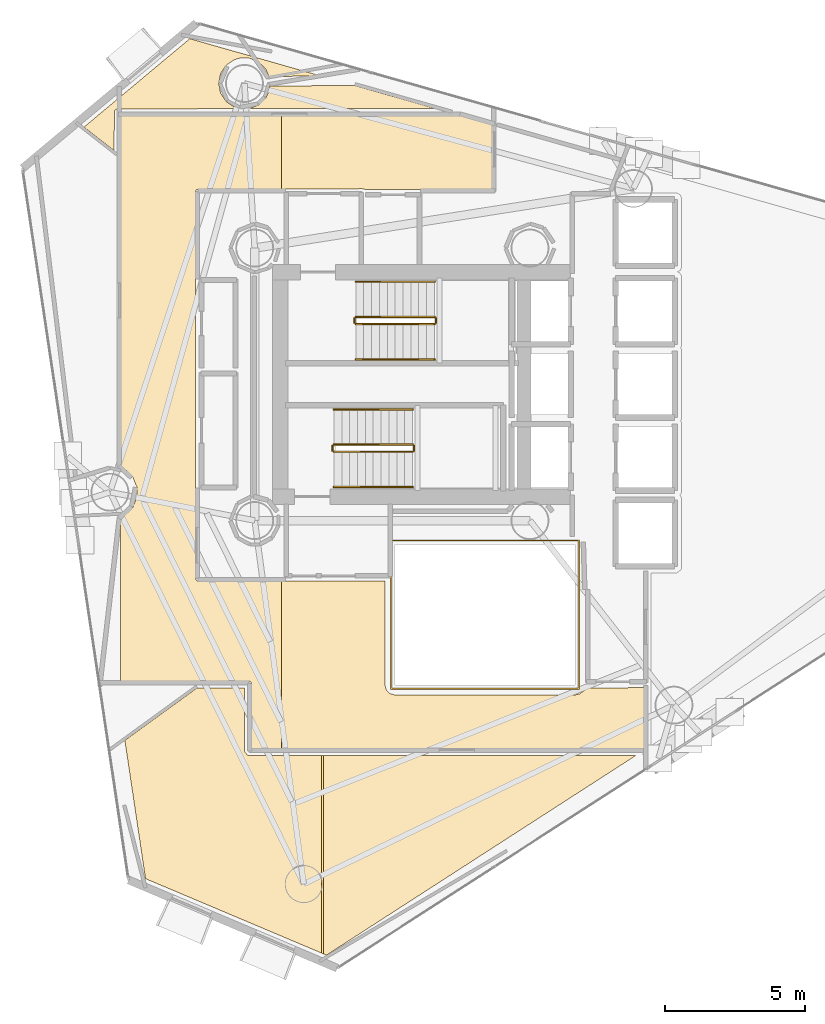
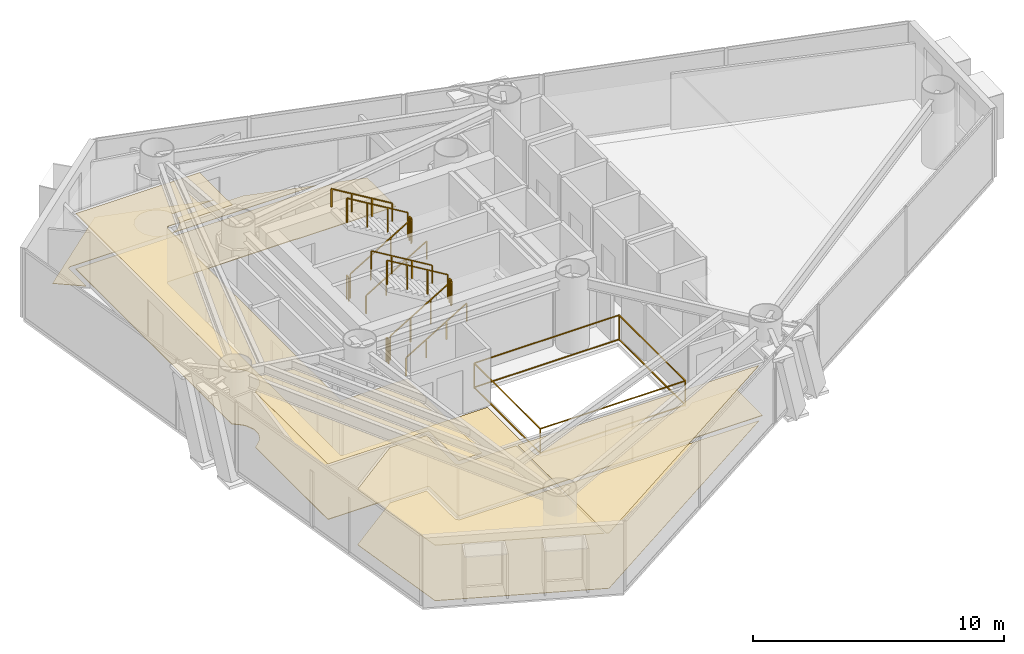
# One storey, part 21 of 22: 13 railings, 6 coverings.
"""IFC4 building model written with IfcOpenShell, lengths in metres."""

import ifcopenshell
import ifcopenshell.guid

model = None  # the IFC model being written
_history = None  # IfcOwnerHistory: only IFC2X3 demands one
_inside = {}  # id of a spatial element -> (the spatial element, [elements in it])
_under = {}  # id of a project, library or spatial element -> (it, [spatial elements below it])
_declared = {}  # id of a project -> (the project, [libraries it declares])
_typed = {}  # id of a type object -> (the type object, [elements of that type])
_made_of = {}  # id of a material, layer set ... -> (it, [elements and type objects made of it])


def new_model(schema):
    """Start an empty IFC model of exactly this schema.

    Asked for "IFC4X3", IfcOpenShell would pick the latest addendum, in which some entities
    have other attributes; the version numbers below select the first issue.
    IFC2X3 requires an IfcOwnerHistory on every rooted entity: one is made here for all.
    """
    global model, _history
    if schema == "IFC4X3":
        model = ifcopenshell.file(schema_version=(4, 3, 0, 0))
    else:
        model = ifcopenshell.file(schema=schema)
    _inside.clear()
    _under.clear()
    _declared.clear()
    _typed.clear()
    _made_of.clear()
    _history = None
    if model.schema == "IFC2X3":
        org = make("IfcOrganization", Name="unknown")
        user = make(
            "IfcPersonAndOrganization",
            ThePerson=make("IfcPerson", FamilyName="unknown"),
            TheOrganization=org,
        )
        app = make(
            "IfcApplication",
            ApplicationDeveloper=org,
            Version="unknown",
            ApplicationFullName="unknown",
            ApplicationIdentifier="unknown",
        )
        _history = make(
            "IfcOwnerHistory",
            OwningUser=user,
            OwningApplication=app,
            ChangeAction="ADDED",
            CreationDate=0,
        )
    return model


def make(cls, **values):
    """One entity of the class cls with the attributes given. An attribute that is None is left unset."""
    return model.create_entity(
        cls, **{name: value for name, value in values.items() if value is not None}
    )


def rooted(cls, **values):
    """An entity with a GlobalId (a new one), such as an element, a storey or a relation."""
    return make(cls, GlobalId=ifcopenshell.guid.new(), OwnerHistory=_history, **values)


def si_unit(unit_type, name, prefix=None):
    """IfcSIUnit, for example si_unit("LENGTHUNIT", "METRE", prefix="MILLI")."""
    return make("IfcSIUnit", UnitType=unit_type, Prefix=prefix, Name=name)


def assignment(units):
    """IfcUnitAssignment: the units of a project."""
    return None if units is None else make("IfcUnitAssignment", Units=units)


def point(xyz):
    """IfcCartesianPoint."""
    return None if xyz is None else make("IfcCartesianPoint", Coordinates=xyz)


def direction(xyz):
    """IfcDirection."""
    return None if xyz is None else make("IfcDirection", DirectionRatios=xyz)


def frame(location, z_axis=None, x_axis=None):
    """IfcAxis2Placement3D, a coordinate frame: its origin and axes. An axis left out is left unset."""
    return make(
        "IfcAxis2Placement3D",
        Location=point(location),
        Axis=direction(z_axis),
        RefDirection=direction(x_axis),
    )


def frame_2d(location, x_axis=None):
    """IfcAxis2Placement2D, a coordinate frame in the plane: its origin and x axis."""
    return make(
        "IfcAxis2Placement2D", Location=point(location), RefDirection=direction(x_axis)
    )


def origin():
    """The frame at (0, 0, 0) with its axes left unset."""
    return frame((0.0, 0.0, 0.0))


def origin_2d():
    """The frame at (0, 0) in the plane with its x axis left unset."""
    return frame_2d((0.0, 0.0))


def place(relative_to, where):
    """IfcLocalPlacement: puts the frame where relative to a parent placement (None: the world)."""
    return make(
        "IfcLocalPlacement", PlacementRelTo=relative_to, RelativePlacement=where
    )


def context(
    kind, dimensions, precision=None, world=None, true_north=None, identifier=None
):
    """IfcGeometricRepresentationContext, for example the 3D "Model" context."""
    return make(
        "IfcGeometricRepresentationContext",
        ContextIdentifier=identifier,
        ContextType=kind,
        CoordinateSpaceDimension=dimensions,
        Precision=precision,
        WorldCoordinateSystem=world,
        TrueNorth=true_north,
    )


def subcontext(parent, identifier, kind, view, scale=None):
    """IfcGeometricRepresentationSubContext, for example "Body" below "Model"."""
    return make(
        "IfcGeometricRepresentationSubContext",
        ContextIdentifier=identifier,
        ContextType=kind,
        ParentContext=parent,
        TargetScale=scale,
        TargetView=view,
    )


def project(units=None, contexts=None):
    """IfcProject with its units and contexts."""
    return rooted(
        "IfcProject",
        Name="project",
        RepresentationContexts=contexts,
        UnitsInContext=assignment(units),
    )


def spatial(cls, under=None, at=None, **own):
    """A site, building, storey or space (cls), placed at a placement, below another one or the project."""
    s = rooted(cls, ObjectPlacement=at, **own)
    if under is not None:
        _under.setdefault(under.id(), (under, []))[1].append(s)
    return s


def polyline(points):
    """IfcPolyline through the points."""
    return make("IfcPolyline", Points=[point(p) for p in points])


def profile(cls, at=None, kind="AREA", **sizes):
    """A parametric profile (cls). Its sizes go by their IFC names, for example OverallWidth=200.0."""
    return make(cls, ProfileType=kind, Position=at, **sizes)


def rectangle(**sizes):
    """IfcRectangleProfileDef."""
    return profile("IfcRectangleProfileDef", **sizes)


def outline(outer, holes=None, kind="AREA"):
    """IfcArbitraryClosedProfileDef: a profile drawn as a closed curve; with holes, ...WithVoids."""
    if holes is None:
        return make("IfcArbitraryClosedProfileDef", ProfileType=kind, OuterCurve=outer)
    return make(
        "IfcArbitraryProfileDefWithVoids",
        ProfileType=kind,
        OuterCurve=outer,
        InnerCurves=holes,
    )


def extrude(swept, where, along, depth):
    """IfcExtrudedAreaSolid: the profile swept, set in the frame where, extruded along a direction by depth."""
    return make(
        "IfcExtrudedAreaSolid",
        SweptArea=swept,
        Position=where,
        ExtrudedDirection=direction(along),
        Depth=depth,
    )


def shape(context_of_items, identifier, shape_type, items):
    """IfcShapeRepresentation: the items that make up one representation, for example the "Body"."""
    return make(
        "IfcShapeRepresentation",
        ContextOfItems=context_of_items,
        RepresentationIdentifier=identifier,
        RepresentationType=shape_type,
        Items=items,
    )


def material(Name=None, Category=None):
    """IfcMaterial."""
    return make("IfcMaterial", Name=Name, Category=Category)


def layer(
    of_material, thickness, ventilated=None, Name=None, Category=None, Priority=None
):
    """IfcMaterialLayer: one layer of a wall or slab, of a material (None: an air gap)."""
    return make(
        "IfcMaterialLayer",
        Material=of_material,
        LayerThickness=thickness,
        IsVentilated=ventilated,
        Name=Name,
        Category=Category,
        Priority=Priority,
    )


def layer_set(layers, Name=None):
    """IfcMaterialLayerSet."""
    return make("IfcMaterialLayerSet", MaterialLayers=layers, LayerSetName=Name)


def made_of(thing, what):
    """Note that an element or type object is made of a material, layer set ...; save() writes the relation."""
    if what is not None:
        _made_of.setdefault(what.id(), (what, []))[1].append(thing)
    return thing


def type_object(cls, material=None, **own):
    """A type object (cls), such as IfcWallType, which elements share."""
    return made_of(rooted(cls, **own), material)


def element(
    cls,
    number,
    at=None,
    inside=None,
    cuts=None,
    type_object=None,
    material=None,
    context=None,
    identifier="Body",
    shape_type=None,
    held_by="IfcProductDefinitionShape",
    body=None,
    shapes=None,
    **own,
):
    """One element of the class cls, such as IfcWall. Its Tag is "e" and its number.

    at: its placement. inside: the storey or other place that contains it. cuts: it is an
    opening in that element (IfcRelVoidsElement). A single representation is given by context,
    identifier, shape_type and body (its items); several are given by shapes. held_by: the class
    of the entity that holds the representations. save() writes the other relations.
    """
    e = rooted(cls, Tag="e%d" % number, ObjectPlacement=at, **own)
    if body is not None:
        shapes = [shape(context, identifier, shape_type, body)]
    if shapes is not None:
        e.Representation = make(held_by, Representations=shapes)
    if inside is not None:
        _inside.setdefault(inside.id(), (inside, []))[1].append(e)
    if cuts is not None:
        rooted(
            "IfcRelVoidsElement", RelatingBuildingElement=cuts, RelatedOpeningElement=e
        )
    if type_object is not None:
        _typed.setdefault(type_object.id(), (type_object, []))[1].append(e)
    return made_of(e, material)


def aggregate(whole, parts):
    """IfcRelAggregates: a whole, such as a stair, and the parts it consists of."""
    return rooted("IfcRelAggregates", RelatingObject=whole, RelatedObjects=parts)


def save(model, path):
    """Write the relations noted so far, then the file.

    IfcRelAggregates (storeys below a building ...), IfcRelContainedInSpatialStructure (elements
    in a storey), IfcRelDefinesByType, IfcRelAssociatesMaterial and IfcRelDeclares: one each for
    every whole, place, type object, material and project.
    """
    for whole, parts in _under.values():
        aggregate(whole, parts)
    for where, things in _inside.values():
        rooted(
            "IfcRelContainedInSpatialStructure",
            RelatedElements=things,
            RelatingStructure=where,
        )
    for kind, things in _typed.values():
        rooted("IfcRelDefinesByType", RelatedObjects=things, RelatingType=kind)
    for what, things in _made_of.values():
        rooted("IfcRelAssociatesMaterial", RelatedObjects=things, RelatingMaterial=what)
    for by, libraries in _declared.values():
        rooted("IfcRelDeclares", RelatingContext=by, RelatedDefinitions=libraries)
    model.write(path)


model = new_model("IFC4")

# Units and contexts
model_context = context("Model", 3, precision=1e-05, world=origin(), true_north=direction((0.0, 1.0)))
body_context = subcontext(model_context, "Body", "Model", "MODEL_VIEW")
ifc_project = project(units=[si_unit("LENGTHUNIT", "METRE"), si_unit("AREAUNIT", "SQUARE_METRE"), si_unit("VOLUMEUNIT", "CUBIC_METRE"), si_unit("PLANEANGLEUNIT", "RADIAN"), si_unit("MASSUNIT", "GRAM", prefix="KILO")], contexts=[model_context])

# Site, building, storey
site_placement = place(None, origin())
site = spatial("IfcSite", under=ifc_project, at=site_placement, CompositionType="ELEMENT")
building_placement = place(site_placement, origin())
building = spatial("IfcBuilding", under=site, at=building_placement, Name="Qianvela Tower", CompositionType="ELEMENT")
storey_placement = place(building_placement, frame((0.0, 0.0, 180.89990234375)))
storey = spatial("IfcBuildingStorey", under=building, at=storey_placement, Name="L46", CompositionType="ELEMENT", Elevation=180.89990234375)

# Coverings
ifc_material_1 = material(Name="Perforated Mineral Acoustic Ceiling Tile")
ifc_layer_1 = layer(ifc_material_1, 0.02490234375)
ifc_layer_set_1 = layer_set([ifc_layer_1], Name="Perforated Mineral Acoustic Ceiling Tile")
covering_type_1 = type_object("IfcCoveringType", Name="COV-CEIL-ACOUSTIC-25", PredefinedType="CEILING", material=ifc_layer_set_1)
covering_1_placement = place(storey_placement, frame((0.0, 0.0, 2.695068359375)))
element("IfcCovering", 1, at=covering_1_placement, inside=storey, type_object=covering_type_1, Name="L46 Acoustic Ceiling Bay 1 L46 Floor Corridor", PredefinedType="CEILING", context=body_context, shape_type="SweptSolid", body=[
    extrude(outline(polyline([(24.4033203125, 25.04150390625), (24.40234375, 25.04931640625), (24.400390625, 25.056884765625), (24.397705078125, 25.064208984375), (24.26416015625, 25.386962890625), (24.2607421875, 25.393798828125), (24.256591796875, 25.400634765625), (24.251953125, 25.406982421875), (24.140625, 25.54248046875), (24.135498046875, 25.54833984375), (24.129638671875, 25.5537109375), (23.830078125, 25.799560546875), (23.830078125, 38.27001953125), (29.5458984375, 38.27001953125), (29.5458984375, 35.651123046875), (26.57958984375, 35.639892578125), (26.572021484375, 35.6396484375), (26.564208984375, 35.638427734375), (26.556396484375, 35.636474609375), (26.54931640625, 35.6337890625), (26.5419921875, 35.630615234375), (26.535400390625, 35.62646484375), (26.529052734375, 35.62158203125), (26.523193359375, 35.616455078125), (26.51806640625, 35.610595703125), (26.513427734375, 35.6044921875), (26.509521484375, 35.59765625), (26.506103515625, 35.590576171875), (26.50341796875, 35.583251953125), (26.50146484375, 35.57568359375), (26.50048828125, 35.56787109375), (26.5, 35.56005859375), (26.5, 21.780029296875), (26.50048828125, 21.772216796875), (26.50146484375, 21.764404296875), (26.50341796875, 21.7568359375), (26.506103515625, 21.74951171875), (26.509521484375, 21.7421875), (26.513427734375, 21.735595703125), (26.518310546875, 21.729248046875), (26.5234375, 21.723388671875), (26.529296875, 21.71826171875), (26.53564453125, 21.71337890625), (26.542236328125, 21.70947265625), (26.54931640625, 21.7060546875), (26.556884765625, 21.703369140625), (26.564453125, 21.701416015625), (26.572265625, 21.700439453125), (26.580078125, 21.699951171875), (29.5458984375, 21.699951171875), (29.5458984375, 15.72998046875), (28.47998046875, 15.72998046875), (28.47998046875, 18.050048828125), (28.4794921875, 18.057861328125), (28.478515625, 18.065673828125), (28.4765625, 18.0732421875), (28.473876953125, 18.08056640625), (28.470703125, 18.087646484375), (28.466552734375, 18.094482421875), (28.4619140625, 18.100830078125), (28.45654296875, 18.106689453125), (28.45068359375, 18.11181640625), (28.4443359375, 18.116455078125), (28.437744140625, 18.12060546875), (28.4306640625, 18.123779296875), (28.423095703125, 18.126708984375), (28.41552734375, 18.12841796875), (28.40771484375, 18.129638671875), (28.39990234375, 18.1298828125), (23.830078125, 18.1298828125), (23.830078125, 23.921142578125), (24.244384765625, 24.302978515625), (24.25048828125, 24.30908203125), (24.255859375, 24.31591796875), (24.26025390625, 24.3232421875), (24.26416015625, 24.3310546875), (24.397705078125, 24.65380859375), (24.400390625, 24.6611328125), (24.40234375, 24.668701171875), (24.4033203125, 24.676513671875), (24.40380859375, 24.684326171875), (24.40380859375, 25.03369140625), (24.4033203125, 25.04150390625)])), origin(), (0.0, 0.0, 1.0), 0.025146484375),
])
covering_2_placement = place(storey_placement, frame((0.0, 0.0, 2.695068359375)))
element("IfcCovering", 2, at=covering_2_placement, inside=storey, type_object=covering_type_1, Name="L46 Acoustic Ceiling Bay 1 Student Reading Library L46-01", PredefinedType="CEILING", context=body_context, shape_type="SweptSolid", body=[
    extrude(outline(polyline([(28.239990234375, 15.64990234375), (28.240478515625, 15.64208984375), (28.241455078125, 15.634521484375), (28.243408203125, 15.626708984375), (28.24609375, 15.619384765625), (28.24951171875, 15.6123046875), (28.25341796875, 15.605712890625), (28.25830078125, 15.59912109375), (28.322509765625, 15.520751953125), (28.327880859375, 15.514892578125), (28.33349609375, 15.509765625), (28.33984375, 15.5048828125), (28.3466796875, 15.5009765625), (28.353759765625, 15.49755859375), (28.361083984375, 15.4951171875), (28.368896484375, 15.4931640625), (28.37646484375, 15.491943359375), (28.384521484375, 15.491455078125), (30.975830078125, 15.4912109375), (30.975830078125, 8.45458984375), (24.71240234375, 11.10107421875), (23.978271484375, 16.025146484375), (26.545166015625, 17.889892578125), (28.239990234375, 17.889892578125), (28.239990234375, 15.64990234375)])), origin(), (0.0, 0.0, 1.0), 0.025146484375),
])
covering_3_placement = place(storey_placement, frame((0.0, 0.0, 2.695068359375)))
element("IfcCovering", 3, at=covering_3_placement, inside=storey, type_object=covering_type_1, Name="L46 Acoustic Ceiling Bay 2 Student Reading Library L46-01", PredefinedType="CEILING", context=body_context, shape_type="SweptSolid", body=[
    extrude(outline(polyline([(42.1748046875, 15.489990234375), (31.154541015625, 8.379150390625), (31.055908203125, 8.4208984375), (31.055908203125, 15.4912109375), (42.1748046875, 15.489990234375)])), origin(), (0.0, 0.0, 1.0), 0.025146484375),
])
ifc_material_2 = material(Name="Engineered Acoustic Oak Timber Flooring", Category="wood")
ifc_layer_2 = layer(ifc_material_2, 0.02001953125)
ifc_layer_set_2 = layer_set([ifc_layer_2], Name="Engineered Acoustic Oak Timber Flooring")
covering_type_2 = type_object("IfcCoveringType", Name="COV-FLOOR-OAK-20", PredefinedType="FLOORING", material=ifc_layer_set_2)
covering_4_placement = place(storey_placement, origin())
element("IfcCovering", 4, at=covering_4_placement, inside=storey, type_object=covering_type_2, Name="L46 Finish Flooring Student Reading Library L46-01", PredefinedType="FLOORING", context=body_context, shape_type="SweptSolid", body=[
    extrude(outline(polyline([(28.239990234375, 17.889892578125), (28.239990234375, 15.64990234375), (28.240478515625, 15.64208984375), (28.241455078125, 15.634521484375), (28.243408203125, 15.626708984375), (28.24609375, 15.619384765625), (28.24951171875, 15.6123046875), (28.25341796875, 15.605712890625), (28.25830078125, 15.59912109375), (28.322509765625, 15.520751953125), (28.327880859375, 15.514892578125), (28.33349609375, 15.509765625), (28.33984375, 15.5048828125), (28.3466796875, 15.5009765625), (28.353759765625, 15.49755859375), (28.361083984375, 15.4951171875), (28.368896484375, 15.4931640625), (28.37646484375, 15.491943359375), (28.384521484375, 15.491455078125), (42.1748046875, 15.489990234375), (31.154541015625, 8.379150390625), (24.71240234375, 11.10107421875), (23.978271484375, 16.025146484375), (26.545166015625, 17.889892578125), (28.239990234375, 17.889892578125)])), origin(), (0.0, 0.0, 1.0), 0.02001953125),
])
covering_5_placement = place(storey_placement, origin())
element("IfcCovering", 5, at=covering_5_placement, inside=storey, type_object=covering_type_2, Name="L46 Finish Flooring Social Sitting Lounge L46-04", PredefinedType="FLOORING", context=body_context, shape_type="SweptSolid", body=[
    extrude(outline(polyline([(23.650390625, 38.47119140625), (23.643798828125, 38.46728515625), (23.637451171875, 38.462646484375), (23.6318359375, 38.45751953125), (23.62646484375, 38.451904296875), (23.621826171875, 38.445556640625), (23.617919921875, 38.43896484375), (23.614501953125, 38.431884765625), (23.61181640625, 38.424560546875), (23.60986328125, 38.4169921875), (23.608642578125, 38.409423828125), (23.608154296875, 38.401611328125), (23.591796875, 37.02099609375), (22.522216796875, 37.856689453125), (26.29052734375, 41.003662109375), (30.98291015625, 39.669189453125), (29.10400390625, 39.66455078125), (29.003173828125, 39.90576171875), (28.999755859375, 39.912841796875), (28.99560546875, 39.91943359375), (28.9912109375, 39.92578125), (28.98583984375, 39.931396484375), (28.755615234375, 40.161865234375), (28.749755859375, 40.1669921875), (28.743408203125, 40.171875), (28.736572265625, 40.17578125), (28.7294921875, 40.17919921875), (28.428466796875, 40.303955078125), (28.421142578125, 40.306396484375), (28.41357421875, 40.308349609375), (28.40576171875, 40.3095703125), (28.39794921875, 40.31005859375), (28.072021484375, 40.31005859375), (28.064208984375, 40.3095703125), (28.056396484375, 40.308349609375), (28.048828125, 40.306396484375), (27.89208984375, 40.259033203125), (27.884765625, 40.25634765625), (27.877685546875, 40.2529296875), (27.87109375, 40.2490234375), (27.60009765625, 40.068115234375), (27.59375, 40.063232421875), (27.587890625, 40.05810546875), (27.582763671875, 40.05224609375), (27.577880859375, 40.0458984375), (27.39697265625, 39.77490234375), (27.39306640625, 39.768310546875), (27.3896484375, 39.76123046875), (27.386962890625, 39.75390625), (27.385009765625, 39.74609375), (27.321533203125, 39.426513671875), (27.3203125, 39.418701171875), (27.320068359375, 39.410888671875), (27.3203125, 39.4033203125), (27.321533203125, 39.3955078125), (27.385009765625, 39.075927734375), (27.386962890625, 39.068115234375), (27.3896484375, 39.060791015625), (27.39306640625, 39.0537109375), (27.39697265625, 39.047119140625), (27.577880859375, 38.776123046875), (27.582763671875, 38.769775390625), (27.587890625, 38.763916015625), (27.59375, 38.7587890625), (27.60009765625, 38.75390625), (27.87109375, 38.572998046875), (27.877685546875, 38.569091796875), (27.884765625, 38.565673828125), (27.89208984375, 38.56298828125), (28.048828125, 38.515380859375), (28.056396484375, 38.513671875), (28.064208984375, 38.512451171875), (28.072021484375, 38.511962890625), (28.39794921875, 38.511962890625), (28.40576171875, 38.512451171875), (28.41357421875, 38.513671875), (28.421142578125, 38.515380859375), (28.428466796875, 38.51806640625), (28.7294921875, 38.642822265625), (28.736572265625, 38.646240234375), (28.743408203125, 38.650146484375), (28.749755859375, 38.65478515625), (28.755615234375, 38.66015625), (28.98583984375, 38.890380859375), (28.9912109375, 38.896240234375), (28.995849609375, 38.902587890625), (28.999755859375, 38.909423828125), (29.076904296875, 39.0537109375), (29.080322265625, 39.060791015625), (29.0830078125, 39.068115234375), (29.0849609375, 39.07568359375), (29.135009765625, 39.32470703125), (32.168212890625, 39.332275390625), (35.06005859375, 38.510009765625), (23.7421875, 38.509521484375), (23.734375, 38.50927734375), (23.7265625, 38.508056640625), (23.718994140625, 38.506103515625), (23.71142578125, 38.50341796875), (23.704345703125, 38.500244140625), (23.650390625, 38.47119140625)])), origin(), (0.0, 0.0, 1.0), 0.02001953125),
])
ifc_material_3 = material(Name="Honed Stone Terrazzo Flooring", Category="masonry")
ifc_layer_3 = layer(ifc_material_3, 0.030029296875)
ifc_layer_set_3 = layer_set([ifc_layer_3], Name="Honed Stone Terrazzo Flooring")
covering_type_3 = type_object("IfcCoveringType", Name="COV-FLOOR-TERRAZZO-30", PredefinedType="FLOORING", material=ifc_layer_set_3)
covering_6_placement = place(storey_placement, origin())
element("IfcCovering", 6, at=covering_6_placement, inside=storey, type_object=covering_type_3, Name="L46 Finish Flooring L46 Floor Corridor", PredefinedType="FLOORING", context=body_context, shape_type="SweptSolid", body=[
    extrude(outline(polyline([(24.40380859375, 25.03369140625), (24.4033203125, 25.04150390625), (24.40234375, 25.04931640625), (24.400390625, 25.056884765625), (24.397705078125, 25.064208984375), (24.26416015625, 25.386962890625), (24.2607421875, 25.393798828125), (24.256591796875, 25.400634765625), (24.251953125, 25.406982421875), (24.140625, 25.54248046875), (24.135498046875, 25.54833984375), (24.129638671875, 25.5537109375), (23.830078125, 25.799560546875), (23.830078125, 38.27001953125), (35.904052734375, 38.27001953125), (37.070068359375, 37.9384765625), (37.070068359375, 35.639892578125), (32.5244140625, 35.639892578125), (32.43798828125, 35.659912109375), (32.428955078125, 35.66162109375), (32.419677734375, 35.662109375), (26.57958984375, 35.639892578125), (26.572021484375, 35.6396484375), (26.564208984375, 35.638427734375), (26.556396484375, 35.636474609375), (26.54931640625, 35.6337890625), (26.5419921875, 35.630615234375), (26.535400390625, 35.62646484375), (26.529052734375, 35.62158203125), (26.523193359375, 35.616455078125), (26.51806640625, 35.610595703125), (26.513427734375, 35.6044921875), (26.509521484375, 35.59765625), (26.506103515625, 35.590576171875), (26.50341796875, 35.583251953125), (26.50146484375, 35.57568359375), (26.50048828125, 35.56787109375), (26.5, 35.56005859375), (26.5, 21.780029296875), (26.50048828125, 21.772216796875), (26.50146484375, 21.764404296875), (26.50341796875, 21.7568359375), (26.506103515625, 21.74951171875), (26.509521484375, 21.7421875), (26.513427734375, 21.735595703125), (26.518310546875, 21.729248046875), (26.5234375, 21.723388671875), (26.529296875, 21.71826171875), (26.53564453125, 21.71337890625), (26.542236328125, 21.70947265625), (26.54931640625, 21.7060546875), (26.556884765625, 21.703369140625), (26.564453125, 21.701416015625), (26.572265625, 21.700439453125), (26.580078125, 21.699951171875), (33.239990234375, 21.699951171875), (33.239990234375, 18.0), (33.240478515625, 17.990234375), (33.242431640625, 17.980712890625), (33.275390625, 17.8486328125), (33.277587890625, 17.841064453125), (33.28076171875, 17.833740234375), (33.284423828125, 17.826904296875), (33.288818359375, 17.8203125), (33.293701171875, 17.814208984375), (33.38525390625, 17.71337890625), (33.391357421875, 17.70751953125), (33.398193359375, 17.701904296875), (33.405517578125, 17.697509765625), (33.4130859375, 17.693603515625), (33.421142578125, 17.690673828125), (33.576904296875, 17.643310546875), (33.58447265625, 17.6416015625), (33.59228515625, 17.640380859375), (33.60009765625, 17.639892578125), (40.0, 17.639892578125), (40.006591796875, 17.640380859375), (40.012939453125, 17.64111328125), (40.019287109375, 17.642333984375), (40.1513671875, 17.675537109375), (40.15869140625, 17.677734375), (40.166015625, 17.6806640625), (40.172607421875, 17.68408203125), (40.17919921875, 17.6884765625), (40.45947265625, 17.89306640625), (42.469970703125, 17.899658203125), (42.469970703125, 15.72998046875), (28.47998046875, 15.72998046875), (28.47998046875, 18.050048828125), (28.4794921875, 18.057861328125), (28.478515625, 18.065673828125), (28.4765625, 18.0732421875), (28.473876953125, 18.08056640625), (28.470703125, 18.087646484375), (28.466552734375, 18.094482421875), (28.4619140625, 18.100830078125), (28.45654296875, 18.106689453125), (28.45068359375, 18.11181640625), (28.4443359375, 18.116455078125), (28.437744140625, 18.12060546875), (28.4306640625, 18.123779296875), (28.423095703125, 18.126708984375), (28.41552734375, 18.12841796875), (28.40771484375, 18.129638671875), (28.39990234375, 18.1298828125), (23.830078125, 18.1298828125), (23.830078125, 23.921142578125), (24.244384765625, 24.302978515625), (24.25048828125, 24.30908203125), (24.255859375, 24.31591796875), (24.26025390625, 24.3232421875), (24.26416015625, 24.3310546875), (24.397705078125, 24.65380859375), (24.400390625, 24.6611328125), (24.40234375, 24.668701171875), (24.4033203125, 24.676513671875), (24.40380859375, 24.684326171875), (24.40380859375, 25.03369140625)])), origin(), (0.0, 0.0, 1.0), 0.030029296875),
])

# Railings
ifc_material_4 = material(Name="Laminated Safety Glass and Stainless Steel 316", Category="steel")
railing_type_1 = type_object("IfcRailingType", Name="RL-ATRIUM-GUARD-1250", PredefinedType="GUARDRAIL", material=ifc_material_4)
railing_1_placement = place(storey_placement, frame((33.4599609375, 17.860107421875, 0.0)))
element("IfcRailing", 7, at=railing_1_placement, inside=storey, type_object=railing_type_1, Name="L46 Atrium Edge Guardrail 1", PredefinedType="GUARDRAIL", context=body_context, shape_type="SweptSolid", body=[
    extrude(rectangle(XDim=0.050048828125, YDim=0.0400390625, at=origin_2d()), frame((0.0, 0.0, 1.22998046875), z_axis=(0.0, 1.0, 0.0), x_axis=(-1.0, 0.0, 0.0)), (0.0, 0.0, 1.0), 5.27978515625),
    extrude(rectangle(XDim=0.050048828125, YDim=0.0400390625, at=origin_2d()), frame((0.0, 0.0, 0.050048828125), z_axis=(0.0, 1.0, 0.0), x_axis=(-1.0, 0.0, 0.0)), (0.0, 0.0, 1.0), 5.27978515625),
    extrude(rectangle(XDim=0.050048828125, YDim=0.0400390625, at=origin_2d()), frame((0.0, 5.27978515625, 1.22998046875), z_axis=(1.0, 0.0, 0.0), x_axis=(0.0, 1.0, 0.0)), (0.0, 0.0, 1.0), 6.679931640625),
    extrude(rectangle(XDim=0.050048828125, YDim=0.0400390625, at=origin_2d()), frame((0.0, 5.27978515625, 0.050048828125), z_axis=(1.0, 0.0, 0.0), x_axis=(0.0, 1.0, 0.0)), (0.0, 0.0, 1.0), 6.679931640625),
    extrude(rectangle(XDim=0.050048828125, YDim=0.0400390625, at=origin_2d()), frame((6.679931640625, 5.27978515625, 1.22998046875), z_axis=(0.0, -1.0, 0.0), x_axis=(1.0, 0.0, 0.0)), (0.0, 0.0, 1.0), 5.27978515625),
    extrude(rectangle(XDim=0.050048828125, YDim=0.0400390625, at=origin_2d()), frame((6.679931640625, 5.27978515625, 0.050048828125), z_axis=(0.0, -1.0, 0.0), x_axis=(1.0, 0.0, 0.0)), (0.0, 0.0, 1.0), 5.27978515625),
    extrude(rectangle(XDim=0.050048828125, YDim=0.0400390625, at=origin_2d()), frame((6.679931640625, 0.0, 1.22998046875), z_axis=(-1.0, 0.0, 0.0), x_axis=(0.0, -1.0, 0.0)), (0.0, 0.0, 1.0), 6.679931640625),
    extrude(rectangle(XDim=0.050048828125, YDim=0.0400390625, at=origin_2d()), frame((6.679931640625, 0.0, 0.050048828125), z_axis=(-1.0, 0.0, 0.0), x_axis=(0.0, -1.0, 0.0)), (0.0, 0.0, 1.0), 6.679931640625),
    extrude(rectangle(XDim=0.050048828125, YDim=0.050048828125, at=origin_2d()), origin(), (0.0, 0.0, 1.0), 1.2099609375),
    extrude(rectangle(XDim=0.050048828125, YDim=0.050048828125, at=origin_2d()), frame((0.0, 5.27978515625, 0.0)), (0.0, 0.0, 1.0), 1.2099609375),
    extrude(rectangle(XDim=0.050048828125, YDim=0.050048828125, at=origin_2d()), frame((6.679931640625, 5.27978515625, 0.0)), (0.0, 0.0, 1.0), 1.2099609375),
    extrude(rectangle(XDim=0.050048828125, YDim=0.050048828125, at=origin_2d()), frame((6.679931640625, 0.0, 0.0)), (0.0, 0.0, 1.0), 1.2099609375),
])
ifc_material_5 = material(Name="Painted Tubular Steel Q355B", Category="steel")
railing_type_2 = type_object("IfcRailingType", Name="RL-STAIR-GUARD-1200", PredefinedType="GUARDRAIL", material=ifc_material_5)
railing_2_placement = place(storey_placement, frame((32.199951171875, 30.840087890625, 0.168212890625)))
element("IfcRailing", 8, at=railing_2_placement, inside=storey, type_object=railing_type_2, Name="L46 ST-1 stair guard 1", PredefinedType="GUARDRAIL", context=body_context, shape_type="SweptSolid", body=[
    extrude(rectangle(XDim=0.050048828125, YDim=0.0400390625, at=origin_2d()), frame((0.0, 0.0, 1.179931640625), z_axis=(0.857242210791, 0.0, 0.514913383045), x_axis=(0.0, 1.0, 0.0)), (0.0, 0.0, 1.0), 3.266357421875),
    extrude(rectangle(XDim=0.050048828125, YDim=0.050048828125, at=origin_2d()), origin(), (0.0, 0.0, 1.0), 1.159912109375),
    extrude(rectangle(XDim=0.050048828125, YDim=0.050048828125, at=origin_2d()), frame((0.933349609375, 0.0, 0.560546875)), (0.0, 0.0, 1.0), 1.159912109375),
    extrude(rectangle(XDim=0.050048828125, YDim=0.050048828125, at=origin_2d()), frame((1.86669921875, 0.0, 1.121337890625)), (0.0, 0.0, 1.0), 1.159912109375),
    extrude(rectangle(XDim=0.050048828125, YDim=0.050048828125, at=origin_2d()), frame((2.800048828125, 0.0, 1.681884765625)), (0.0, 0.0, 1.0), 1.159912109375),
])
railing_3_placement = place(storey_placement, frame((35.050048828125, 30.889892578125, 1.85009765625)))
element("IfcRailing", 9, at=railing_3_placement, inside=storey, type_object=railing_type_2, Name="L46 ST-1 stair guard 2", PredefinedType="GUARDRAIL", context=body_context, shape_type="SweptSolid", body=[
    extrude(rectangle(XDim=0.050048828125, YDim=0.0400390625, at=origin_2d()), frame((0.0, 0.0, 1.179931640625), z_axis=(0.0, 1.0, 0.0), x_axis=(-1.0, 0.0, 0.0)), (0.0, 0.0, 1.0), 0.16015625),
    extrude(rectangle(XDim=0.050048828125, YDim=0.050048828125, at=origin_2d()), origin(), (0.0, 0.0, 1.0), 1.159912109375),
    extrude(rectangle(XDim=0.050048828125, YDim=0.050048828125, at=origin_2d()), frame((0.0, 0.16015625, 0.0)), (0.0, 0.0, 1.0), 1.159912109375),
])
railing_4_placement = place(storey_placement, frame((35.0, 31.10009765625, 2.018310546875)))
element("IfcRailing", 10, at=railing_4_placement, inside=storey, type_object=railing_type_2, Name="L46 ST-1 stair guard 3", PredefinedType="GUARDRAIL", context=body_context, shape_type="SweptSolid", body=[
    extrude(rectangle(XDim=0.050048828125, YDim=0.0400390625, at=origin_2d()), frame((0.0, 0.0, 1.179931640625), z_axis=(-0.857242210791, 0.0, 0.514913383045), x_axis=(0.0, -1.0, 0.0)), (0.0, 0.0, 1.0), 3.266357421875),
    extrude(rectangle(XDim=0.050048828125, YDim=0.050048828125, at=origin_2d()), origin(), (0.0, 0.0, 1.0), 1.159912109375),
    extrude(rectangle(XDim=0.050048828125, YDim=0.050048828125, at=origin_2d()), frame((-0.933349609375, 0.0, 0.560546875)), (0.0, 0.0, 1.0), 1.159912109375),
    extrude(rectangle(XDim=0.050048828125, YDim=0.050048828125, at=origin_2d()), frame((-1.86669921875, 0.0, 1.121337890625)), (0.0, 0.0, 1.0), 1.159912109375),
    extrude(rectangle(XDim=0.050048828125, YDim=0.050048828125, at=origin_2d()), frame((-2.800048828125, 0.0, 1.681884765625)), (0.0, 0.0, 1.0), 1.159912109375),
])
railing_5_placement = place(storey_placement, frame((32.14990234375, 30.889892578125, 0.0)))
element("IfcRailing", 11, at=railing_5_placement, inside=storey, type_object=railing_type_2, Name="L46 ST-1 stair guard 4", PredefinedType="GUARDRAIL", context=body_context, shape_type="SweptSolid", body=[
    extrude(rectangle(XDim=0.050048828125, YDim=0.0400390625, at=origin_2d()), frame((0.0, 0.0, 1.179931640625), z_axis=(0.0, 1.0, 0.0), x_axis=(-1.0, 0.0, 0.0)), (0.0, 0.0, 1.0), 0.16015625),
    extrude(rectangle(XDim=0.050048828125, YDim=0.050048828125, at=origin_2d()), origin(), (0.0, 0.0, 1.0), 1.159912109375),
    extrude(rectangle(XDim=0.050048828125, YDim=0.050048828125, at=origin_2d()), frame((0.0, 0.16015625, 0.0)), (0.0, 0.0, 1.0), 1.159912109375),
])
railing_6_placement = place(storey_placement, frame((31.419921875, 26.300048828125, 0.168212890625)))
element("IfcRailing", 12, at=railing_6_placement, inside=storey, type_object=railing_type_2, Name="L46 ST-2 stair guard 1", PredefinedType="GUARDRAIL", context=body_context, shape_type="SweptSolid", body=[
    extrude(rectangle(XDim=0.050048828125, YDim=0.0400390625, at=origin_2d()), frame((0.0, 0.0, 1.179931640625), z_axis=(0.857242210791, 0.0, 0.514913383045), x_axis=(0.0, 1.0, 0.0)), (0.0, 0.0, 1.0), 3.266357421875),
    extrude(rectangle(XDim=0.050048828125, YDim=0.050048828125, at=origin_2d()), origin(), (0.0, 0.0, 1.0), 1.159912109375),
    extrude(rectangle(XDim=0.050048828125, YDim=0.050048828125, at=origin_2d()), frame((0.933349609375, 0.0, 0.560546875)), (0.0, 0.0, 1.0), 1.159912109375),
    extrude(rectangle(XDim=0.050048828125, YDim=0.050048828125, at=origin_2d()), frame((1.86669921875, 0.0, 1.121337890625)), (0.0, 0.0, 1.0), 1.159912109375),
    extrude(rectangle(XDim=0.050048828125, YDim=0.050048828125, at=origin_2d()), frame((2.800048828125, 0.0, 1.681884765625)), (0.0, 0.0, 1.0), 1.159912109375),
])
railing_7_placement = place(storey_placement, frame((34.27001953125, 26.35009765625, 1.85009765625)))
element("IfcRailing", 13, at=railing_7_placement, inside=storey, type_object=railing_type_2, Name="L46 ST-2 stair guard 2", PredefinedType="GUARDRAIL", context=body_context, shape_type="SweptSolid", body=[
    extrude(rectangle(XDim=0.050048828125, YDim=0.0400390625, at=origin_2d()), frame((0.0, 0.0, 1.179931640625), z_axis=(0.0, 1.0, 0.0), x_axis=(-1.0, 0.0, 0.0)), (0.0, 0.0, 1.0), 0.159912109375),
    extrude(rectangle(XDim=0.050048828125, YDim=0.050048828125, at=origin_2d()), origin(), (0.0, 0.0, 1.0), 1.159912109375),
    extrude(rectangle(XDim=0.050048828125, YDim=0.050048828125, at=origin_2d()), frame((0.0, 0.159912109375, 0.0)), (0.0, 0.0, 1.0), 1.159912109375),
])
railing_8_placement = place(storey_placement, frame((34.219970703125, 26.56005859375, 2.018310546875)))
element("IfcRailing", 14, at=railing_8_placement, inside=storey, type_object=railing_type_2, Name="L46 ST-2 stair guard 3", PredefinedType="GUARDRAIL", context=body_context, shape_type="SweptSolid", body=[
    extrude(rectangle(XDim=0.050048828125, YDim=0.0400390625, at=origin_2d()), frame((0.0, 0.0, 1.179931640625), z_axis=(-0.857242210791, 0.0, 0.514913383045), x_axis=(0.0, -1.0, 0.0)), (0.0, 0.0, 1.0), 3.266357421875),
    extrude(rectangle(XDim=0.050048828125, YDim=0.050048828125, at=origin_2d()), origin(), (0.0, 0.0, 1.0), 1.159912109375),
    extrude(rectangle(XDim=0.050048828125, YDim=0.050048828125, at=origin_2d()), frame((-0.933349609375, 0.0, 0.560546875)), (0.0, 0.0, 1.0), 1.159912109375),
    extrude(rectangle(XDim=0.050048828125, YDim=0.050048828125, at=origin_2d()), frame((-1.86669921875, 0.0, 1.121337890625)), (0.0, 0.0, 1.0), 1.159912109375),
    extrude(rectangle(XDim=0.050048828125, YDim=0.050048828125, at=origin_2d()), frame((-2.800048828125, 0.0, 1.681884765625)), (0.0, 0.0, 1.0), 1.159912109375),
])
railing_9_placement = place(storey_placement, frame((31.3701171875, 26.35009765625, 0.0)))
element("IfcRailing", 15, at=railing_9_placement, inside=storey, type_object=railing_type_2, Name="L46 ST-2 stair guard 4", PredefinedType="GUARDRAIL", context=body_context, shape_type="SweptSolid", body=[
    extrude(rectangle(XDim=0.050048828125, YDim=0.0400390625, at=origin_2d()), frame((0.0, 0.0, 1.179931640625), z_axis=(0.0, 1.0, 0.0), x_axis=(-1.0, 0.0, 0.0)), (0.0, 0.0, 1.0), 0.159912109375),
    extrude(rectangle(XDim=0.050048828125, YDim=0.050048828125, at=origin_2d()), origin(), (0.0, 0.0, 1.0), 1.159912109375),
    extrude(rectangle(XDim=0.050048828125, YDim=0.050048828125, at=origin_2d()), frame((0.0, 0.159912109375, 0.0)), (0.0, 0.0, 1.0), 1.159912109375),
])
ifc_material_6 = material(Name="Brushed Stainless Steel 304", Category="steel")
railing_type_3 = type_object("IfcRailingType", Name="RL-STAIR-HANDRAIL-900", PredefinedType="HANDRAIL", material=ifc_material_6)
railing_10_placement = place(storey_placement, frame((32.199951171875, 29.590087890625, 0.168212890625)))
element("IfcRailing", 16, at=railing_10_placement, inside=storey, type_object=railing_type_3, Name="L46 ST-1 stair handrail 1", PredefinedType="HANDRAIL", context=body_context, shape_type="SweptSolid", body=[
    extrude(rectangle(XDim=0.050048828125, YDim=0.0400390625, at=origin_2d()), frame((0.0, 0.0, 0.8798828125), z_axis=(0.857242210791, 0.0, 0.514913383045), x_axis=(0.0, 1.0, 0.0)), (0.0, 0.0, 1.0), 3.266357421875),
    extrude(rectangle(XDim=0.050048828125, YDim=0.050048828125, at=origin_2d()), origin(), (0.0, 0.0, 1.0), 0.85986328125),
    extrude(rectangle(XDim=0.050048828125, YDim=0.050048828125, at=origin_2d()), frame((0.933349609375, 0.0, 0.560546875)), (0.0, 0.0, 1.0), 0.85986328125),
    extrude(rectangle(XDim=0.050048828125, YDim=0.050048828125, at=origin_2d()), frame((1.86669921875, 0.0, 1.121337890625)), (0.0, 0.0, 1.0), 0.85986328125),
    extrude(rectangle(XDim=0.050048828125, YDim=0.050048828125, at=origin_2d()), frame((2.800048828125, 0.0, 1.681884765625)), (0.0, 0.0, 1.0), 0.85986328125),
])
railing_11_placement = place(storey_placement, frame((35.0, 32.35009765625, 2.018310546875)))
element("IfcRailing", 17, at=railing_11_placement, inside=storey, type_object=railing_type_3, Name="L46 ST-1 stair handrail 2", PredefinedType="HANDRAIL", context=body_context, shape_type="SweptSolid", body=[
    extrude(rectangle(XDim=0.050048828125, YDim=0.0400390625, at=origin_2d()), frame((0.0, 0.0, 0.8798828125), z_axis=(-0.857242210791, 0.0, 0.514913383045), x_axis=(0.0, -1.0, 0.0)), (0.0, 0.0, 1.0), 3.266357421875),
    extrude(rectangle(XDim=0.050048828125, YDim=0.050048828125, at=origin_2d()), origin(), (0.0, 0.0, 1.0), 0.85986328125),
    extrude(rectangle(XDim=0.050048828125, YDim=0.050048828125, at=origin_2d()), frame((-0.933349609375, 0.0, 0.560546875)), (0.0, 0.0, 1.0), 0.85986328125),
    extrude(rectangle(XDim=0.050048828125, YDim=0.050048828125, at=origin_2d()), frame((-1.86669921875, 0.0, 1.121337890625)), (0.0, 0.0, 1.0), 0.85986328125),
    extrude(rectangle(XDim=0.050048828125, YDim=0.050048828125, at=origin_2d()), frame((-2.800048828125, 0.0, 1.681884765625)), (0.0, 0.0, 1.0), 0.85986328125),
])
railing_12_placement = place(storey_placement, frame((31.419921875, 25.050048828125, 0.168212890625)))
element("IfcRailing", 18, at=railing_12_placement, inside=storey, type_object=railing_type_3, Name="L46 ST-2 stair handrail 1", PredefinedType="HANDRAIL", context=body_context, shape_type="SweptSolid", body=[
    extrude(rectangle(XDim=0.050048828125, YDim=0.0400390625, at=origin_2d()), frame((0.0, 0.0, 0.8798828125), z_axis=(0.857242210791, 0.0, 0.514913383045), x_axis=(0.0, 1.0, 0.0)), (0.0, 0.0, 1.0), 3.266357421875),
    extrude(rectangle(XDim=0.050048828125, YDim=0.050048828125, at=origin_2d()), origin(), (0.0, 0.0, 1.0), 0.85986328125),
    extrude(rectangle(XDim=0.050048828125, YDim=0.050048828125, at=origin_2d()), frame((0.933349609375, 0.0, 0.560546875)), (0.0, 0.0, 1.0), 0.85986328125),
    extrude(rectangle(XDim=0.050048828125, YDim=0.050048828125, at=origin_2d()), frame((1.86669921875, 0.0, 1.121337890625)), (0.0, 0.0, 1.0), 0.85986328125),
    extrude(rectangle(XDim=0.050048828125, YDim=0.050048828125, at=origin_2d()), frame((2.800048828125, 0.0, 1.681884765625)), (0.0, 0.0, 1.0), 0.85986328125),
])
railing_13_placement = place(storey_placement, frame((34.219970703125, 27.81005859375, 2.018310546875)))
element("IfcRailing", 19, at=railing_13_placement, inside=storey, type_object=railing_type_3, Name="L46 ST-2 stair handrail 2", PredefinedType="HANDRAIL", context=body_context, shape_type="SweptSolid", body=[
    extrude(rectangle(XDim=0.050048828125, YDim=0.0400390625, at=origin_2d()), frame((0.0, 0.0, 0.8798828125), z_axis=(-0.857242210791, 0.0, 0.514913383045), x_axis=(0.0, -1.0, 0.0)), (0.0, 0.0, 1.0), 3.266357421875),
    extrude(rectangle(XDim=0.050048828125, YDim=0.050048828125, at=origin_2d()), origin(), (0.0, 0.0, 1.0), 0.85986328125),
    extrude(rectangle(XDim=0.050048828125, YDim=0.050048828125, at=origin_2d()), frame((-0.933349609375, 0.0, 0.560546875)), (0.0, 0.0, 1.0), 0.85986328125),
    extrude(rectangle(XDim=0.050048828125, YDim=0.050048828125, at=origin_2d()), frame((-1.86669921875, 0.0, 1.121337890625)), (0.0, 0.0, 1.0), 0.85986328125),
    extrude(rectangle(XDim=0.050048828125, YDim=0.050048828125, at=origin_2d()), frame((-2.800048828125, 0.0, 1.681884765625)), (0.0, 0.0, 1.0), 0.85986328125),
])

save(model, "model.ifc")
